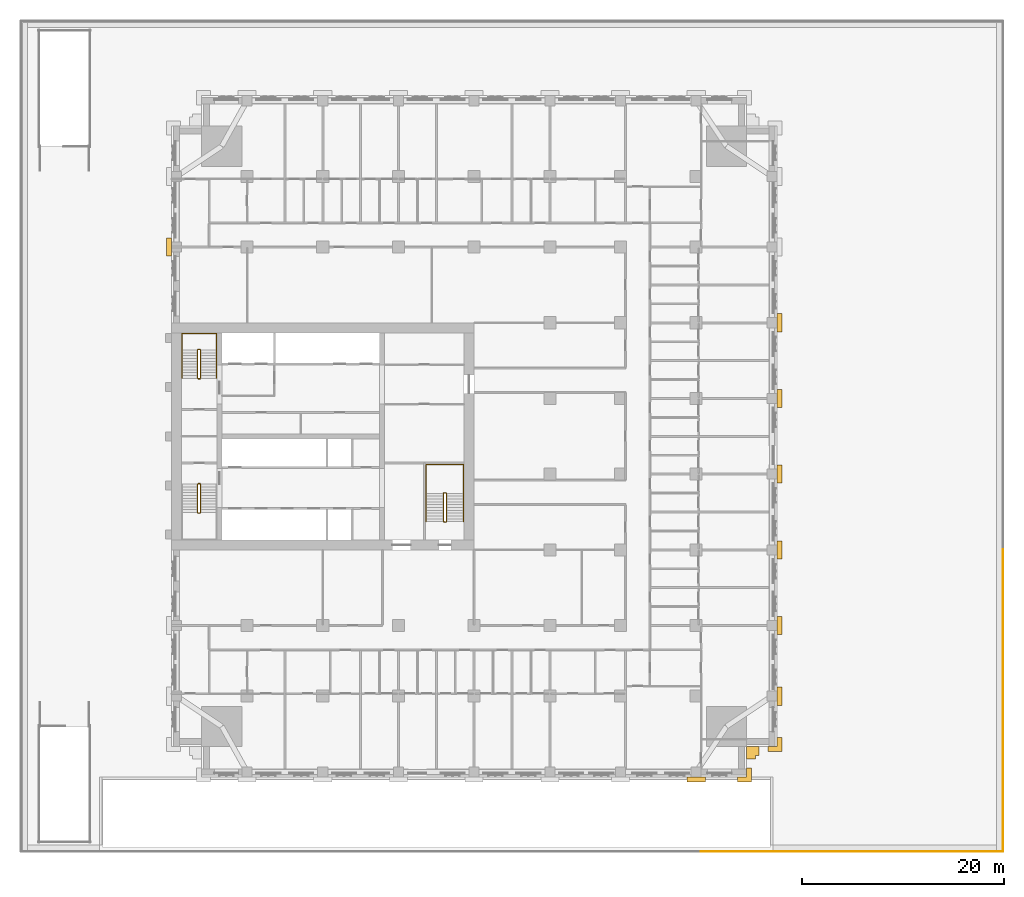
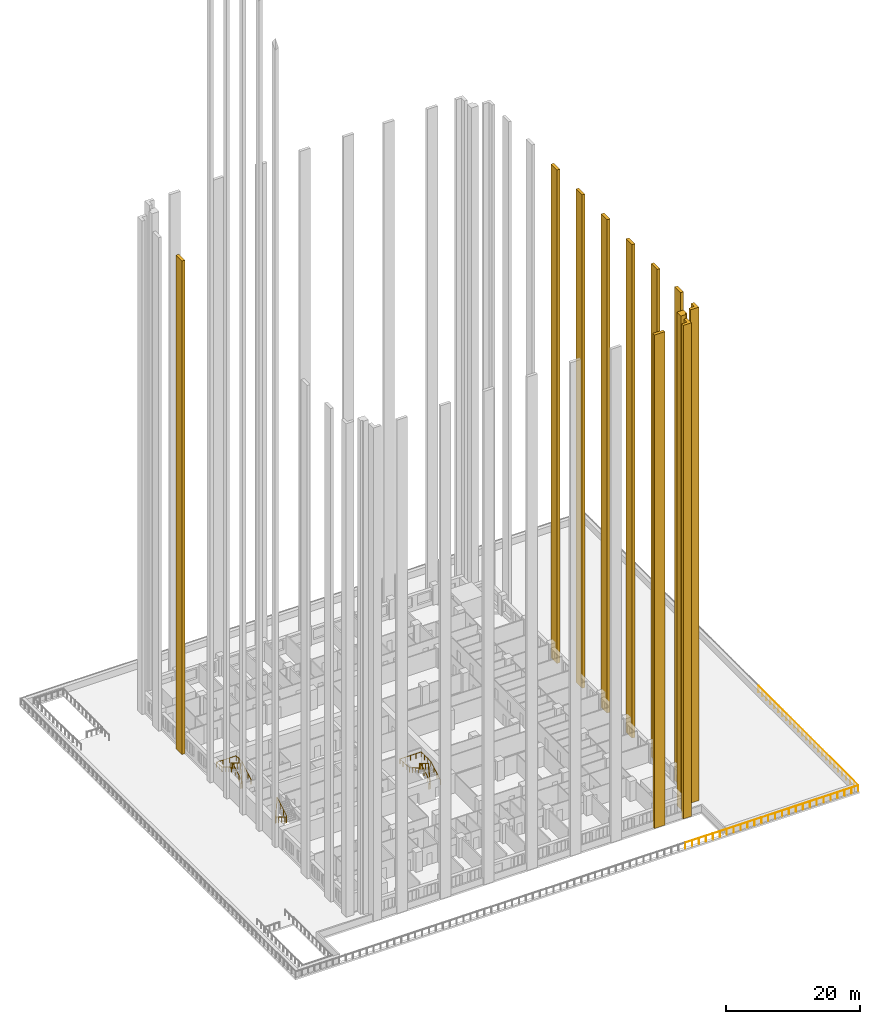
# One storey, part 25 of 27: 11 coverings, 7 railings.
"""IFC4 building model written with IfcOpenShell, lengths in metres."""

import ifcopenshell
import ifcopenshell.guid

model = None  # the IFC model being written
_history = None  # IfcOwnerHistory: only IFC2X3 demands one
_inside = {}  # id of a spatial element -> (the spatial element, [elements in it])
_under = {}  # id of a project, library or spatial element -> (it, [spatial elements below it])
_declared = {}  # id of a project -> (the project, [libraries it declares])
_typed = {}  # id of a type object -> (the type object, [elements of that type])
_made_of = {}  # id of a material, layer set ... -> (it, [elements and type objects made of it])


def new_model(schema):
    """Start an empty IFC model of exactly this schema.

    Asked for "IFC4X3", IfcOpenShell would pick the latest addendum, in which some entities
    have other attributes; the version numbers below select the first issue.
    IFC2X3 requires an IfcOwnerHistory on every rooted entity: one is made here for all.
    """
    global model, _history
    if schema == "IFC4X3":
        model = ifcopenshell.file(schema_version=(4, 3, 0, 0))
    else:
        model = ifcopenshell.file(schema=schema)
    _inside.clear()
    _under.clear()
    _declared.clear()
    _typed.clear()
    _made_of.clear()
    _history = None
    if model.schema == "IFC2X3":
        org = make("IfcOrganization", Name="unknown")
        user = make(
            "IfcPersonAndOrganization",
            ThePerson=make("IfcPerson", FamilyName="unknown"),
            TheOrganization=org,
        )
        app = make(
            "IfcApplication",
            ApplicationDeveloper=org,
            Version="unknown",
            ApplicationFullName="unknown",
            ApplicationIdentifier="unknown",
        )
        _history = make(
            "IfcOwnerHistory",
            OwningUser=user,
            OwningApplication=app,
            ChangeAction="ADDED",
            CreationDate=0,
        )
    return model


def make(cls, **values):
    """One entity of the class cls with the attributes given. An attribute that is None is left unset."""
    return model.create_entity(
        cls, **{name: value for name, value in values.items() if value is not None}
    )


def rooted(cls, **values):
    """An entity with a GlobalId (a new one), such as an element, a storey or a relation."""
    return make(cls, GlobalId=ifcopenshell.guid.new(), OwnerHistory=_history, **values)


def si_unit(unit_type, name, prefix=None):
    """IfcSIUnit, for example si_unit("LENGTHUNIT", "METRE", prefix="MILLI")."""
    return make("IfcSIUnit", UnitType=unit_type, Prefix=prefix, Name=name)


def assignment(units):
    """IfcUnitAssignment: the units of a project."""
    return None if units is None else make("IfcUnitAssignment", Units=units)


def point(xyz):
    """IfcCartesianPoint."""
    return None if xyz is None else make("IfcCartesianPoint", Coordinates=xyz)


def direction(xyz):
    """IfcDirection."""
    return None if xyz is None else make("IfcDirection", DirectionRatios=xyz)


def frame(location, z_axis=None, x_axis=None):
    """IfcAxis2Placement3D, a coordinate frame: its origin and axes. An axis left out is left unset."""
    return make(
        "IfcAxis2Placement3D",
        Location=point(location),
        Axis=direction(z_axis),
        RefDirection=direction(x_axis),
    )


def frame_2d(location, x_axis=None):
    """IfcAxis2Placement2D, a coordinate frame in the plane: its origin and x axis."""
    return make(
        "IfcAxis2Placement2D", Location=point(location), RefDirection=direction(x_axis)
    )


def origin():
    """The frame at (0, 0, 0) with its axes left unset."""
    return frame((0.0, 0.0, 0.0))


def origin_2d():
    """The frame at (0, 0) in the plane with its x axis left unset."""
    return frame_2d((0.0, 0.0))


def place(relative_to, where):
    """IfcLocalPlacement: puts the frame where relative to a parent placement (None: the world)."""
    return make(
        "IfcLocalPlacement", PlacementRelTo=relative_to, RelativePlacement=where
    )


def context(
    kind, dimensions, precision=None, world=None, true_north=None, identifier=None
):
    """IfcGeometricRepresentationContext, for example the 3D "Model" context."""
    return make(
        "IfcGeometricRepresentationContext",
        ContextIdentifier=identifier,
        ContextType=kind,
        CoordinateSpaceDimension=dimensions,
        Precision=precision,
        WorldCoordinateSystem=world,
        TrueNorth=true_north,
    )


def subcontext(parent, identifier, kind, view, scale=None):
    """IfcGeometricRepresentationSubContext, for example "Body" below "Model"."""
    return make(
        "IfcGeometricRepresentationSubContext",
        ContextIdentifier=identifier,
        ContextType=kind,
        ParentContext=parent,
        TargetScale=scale,
        TargetView=view,
    )


def project(units=None, contexts=None):
    """IfcProject with its units and contexts."""
    return rooted(
        "IfcProject",
        Name="project",
        RepresentationContexts=contexts,
        UnitsInContext=assignment(units),
    )


def spatial(cls, under=None, at=None, **own):
    """A site, building, storey or space (cls), placed at a placement, below another one or the project."""
    s = rooted(cls, ObjectPlacement=at, **own)
    if under is not None:
        _under.setdefault(under.id(), (under, []))[1].append(s)
    return s


def polyline(points):
    """IfcPolyline through the points."""
    return make("IfcPolyline", Points=[point(p) for p in points])


def profile(cls, at=None, kind="AREA", **sizes):
    """A parametric profile (cls). Its sizes go by their IFC names, for example OverallWidth=200.0."""
    return make(cls, ProfileType=kind, Position=at, **sizes)


def circle(**sizes):
    """IfcCircleProfileDef."""
    return profile("IfcCircleProfileDef", **sizes)


def outline(outer, holes=None, kind="AREA"):
    """IfcArbitraryClosedProfileDef: a profile drawn as a closed curve; with holes, ...WithVoids."""
    if holes is None:
        return make("IfcArbitraryClosedProfileDef", ProfileType=kind, OuterCurve=outer)
    return make(
        "IfcArbitraryProfileDefWithVoids",
        ProfileType=kind,
        OuterCurve=outer,
        InnerCurves=holes,
    )


def extrude(swept, where, along, depth):
    """IfcExtrudedAreaSolid: the profile swept, set in the frame where, extruded along a direction by depth."""
    return make(
        "IfcExtrudedAreaSolid",
        SweptArea=swept,
        Position=where,
        ExtrudedDirection=direction(along),
        Depth=depth,
    )


def shape(context_of_items, identifier, shape_type, items):
    """IfcShapeRepresentation: the items that make up one representation, for example the "Body"."""
    return make(
        "IfcShapeRepresentation",
        ContextOfItems=context_of_items,
        RepresentationIdentifier=identifier,
        RepresentationType=shape_type,
        Items=items,
    )


def material(Name=None, Category=None):
    """IfcMaterial."""
    return make("IfcMaterial", Name=Name, Category=Category)


def layer(
    of_material, thickness, ventilated=None, Name=None, Category=None, Priority=None
):
    """IfcMaterialLayer: one layer of a wall or slab, of a material (None: an air gap)."""
    return make(
        "IfcMaterialLayer",
        Material=of_material,
        LayerThickness=thickness,
        IsVentilated=ventilated,
        Name=Name,
        Category=Category,
        Priority=Priority,
    )


def layer_set(layers, Name=None):
    """IfcMaterialLayerSet."""
    return make("IfcMaterialLayerSet", MaterialLayers=layers, LayerSetName=Name)


def made_of(thing, what):
    """Note that an element or type object is made of a material, layer set ...; save() writes the relation."""
    if what is not None:
        _made_of.setdefault(what.id(), (what, []))[1].append(thing)
    return thing


def type_object(cls, material=None, **own):
    """A type object (cls), such as IfcWallType, which elements share."""
    return made_of(rooted(cls, **own), material)


def element(
    cls,
    number,
    at=None,
    inside=None,
    cuts=None,
    type_object=None,
    material=None,
    context=None,
    identifier="Body",
    shape_type=None,
    held_by="IfcProductDefinitionShape",
    body=None,
    shapes=None,
    **own,
):
    """One element of the class cls, such as IfcWall. Its Tag is "e" and its number.

    at: its placement. inside: the storey or other place that contains it. cuts: it is an
    opening in that element (IfcRelVoidsElement). A single representation is given by context,
    identifier, shape_type and body (its items); several are given by shapes. held_by: the class
    of the entity that holds the representations. save() writes the other relations.
    """
    e = rooted(cls, Tag="e%d" % number, ObjectPlacement=at, **own)
    if body is not None:
        shapes = [shape(context, identifier, shape_type, body)]
    if shapes is not None:
        e.Representation = make(held_by, Representations=shapes)
    if inside is not None:
        _inside.setdefault(inside.id(), (inside, []))[1].append(e)
    if cuts is not None:
        rooted(
            "IfcRelVoidsElement", RelatingBuildingElement=cuts, RelatedOpeningElement=e
        )
    if type_object is not None:
        _typed.setdefault(type_object.id(), (type_object, []))[1].append(e)
    return made_of(e, material)


def aggregate(whole, parts):
    """IfcRelAggregates: a whole, such as a stair, and the parts it consists of."""
    return rooted("IfcRelAggregates", RelatingObject=whole, RelatedObjects=parts)


def save(model, path):
    """Write the relations noted so far, then the file.

    IfcRelAggregates (storeys below a building ...), IfcRelContainedInSpatialStructure (elements
    in a storey), IfcRelDefinesByType, IfcRelAssociatesMaterial and IfcRelDeclares: one each for
    every whole, place, type object, material and project.
    """
    for whole, parts in _under.values():
        aggregate(whole, parts)
    for where, things in _inside.values():
        rooted(
            "IfcRelContainedInSpatialStructure",
            RelatedElements=things,
            RelatingStructure=where,
        )
    for kind, things in _typed.values():
        rooted("IfcRelDefinesByType", RelatedObjects=things, RelatingType=kind)
    for what, things in _made_of.values():
        rooted("IfcRelAssociatesMaterial", RelatedObjects=things, RelatingMaterial=what)
    for by, libraries in _declared.values():
        rooted("IfcRelDeclares", RelatingContext=by, RelatedDefinitions=libraries)
    model.write(path)


model = new_model("IFC4")

# Units and contexts
model_context = context("Model", 3, precision=1e-05, world=origin(), true_north=direction((0.0, 1.0)))
body_context = subcontext(model_context, "Body", "Model", "MODEL_VIEW")
ifc_project = project(units=[si_unit("LENGTHUNIT", "METRE"), si_unit("AREAUNIT", "SQUARE_METRE"), si_unit("VOLUMEUNIT", "CUBIC_METRE"), si_unit("PLANEANGLEUNIT", "RADIAN"), si_unit("MASSUNIT", "GRAM", prefix="KILO")], contexts=[model_context])

# Site, building, storey
site_placement = place(None, origin())
site = spatial("IfcSite", under=ifc_project, at=site_placement, CompositionType="ELEMENT")
building_placement = place(site_placement, origin())
building = spatial("IfcBuilding", under=site, at=building_placement, Name="Tamorin Gate", CompositionType="ELEMENT")
storey_placement = place(building_placement, frame((0.0, 0.0, 34.0)))
storey = spatial("IfcBuildingStorey", under=building, at=storey_placement, Name="L06", CompositionType="ELEMENT", Elevation=34.0)

# Coverings
ifc_material_1 = material(Name="Precast concrete C40/50", Category="concrete")
ifc_layer_1 = layer(ifc_material_1, 0.5)
ifc_layer_set_1 = layer_set([ifc_layer_1], Name="Corner pier cladding 500")
covering_type_1 = type_object("IfcCoveringType", Name="Corner pier cladding 500", PredefinedType="CLADDING", material=ifc_layer_set_1)
covering_1_placement = place(storey_placement, origin())
element("IfcCovering", 1, at=covering_1_placement, inside=storey, type_object=covering_type_1, Name="Corner pier", PredefinedType="CLADDING", context=body_context, shape_type="SweptSolid", body=[
    extrude(outline(polyline([(87.5, 37.0), (86.10009765625, 37.0), (86.10009765625, 37.5), (87.0, 37.5), (87.0, 38.39990234375), (87.5, 38.39990234375), (87.5, 37.0)])), origin(), (0.0, 0.0, 1.0), 90.199951171875),
])
covering_2_placement = place(storey_placement, origin())
element("IfcCovering", 2, at=covering_2_placement, inside=storey, type_object=covering_type_1, Name="Corner pier", PredefinedType="CLADDING", context=body_context, shape_type="SweptSolid", body=[
    extrude(outline(polyline([(90.5, 40.0), (89.10009765625, 40.0), (89.10009765625, 40.5), (90.0, 40.5), (90.0, 41.39990234375), (90.5, 41.39990234375), (90.5, 40.0)])), origin(), (0.0, 0.0, 1.0), 90.199951171875),
])
ifc_layer_2 = layer(ifc_material_1, 0.89990234375)
ifc_layer_set_2 = layer_set([ifc_layer_2], Name="Corner pier cladding 900")
covering_type_2 = type_object("IfcCoveringType", Name="Corner pier cladding 900", PredefinedType="CLADDING", material=ifc_layer_set_2)
covering_3_placement = place(storey_placement, origin())
element("IfcCovering", 3, at=covering_3_placement, inside=storey, type_object=covering_type_2, Name="Corner pier", PredefinedType="CLADDING", context=body_context, shape_type="SweptSolid", body=[
    extrude(outline(polyline([(87.89990234375, 39.60009765625), (87.89990234375, 39.300048828125), (87.0, 39.300048828125), (87.0, 40.5), (88.199951171875, 40.5), (88.199951171875, 39.60009765625), (87.89990234375, 39.60009765625)])), origin(), (0.0, 0.0, 1.0), 90.199951171875),
])
ifc_layer_3 = layer(ifc_material_1, 0.5)
ifc_layer_set_3 = layer_set([ifc_layer_3], Name="Precast concrete C40/50")
covering_type_3 = type_object("IfcCoveringType", Name="Precast pier 1800x500", PredefinedType="CLADDING", material=ifc_layer_set_3)
covering_4_placement = place(storey_placement, origin())
element("IfcCovering", 4, at=covering_4_placement, inside=storey, type_object=covering_type_3, Name="Precast pier", PredefinedType="CLADDING", context=body_context, shape_type="SweptSolid", body=[
    extrude(outline(polyline([(30.0, 90.89990234375), (30.0, 89.10009765625), (29.5, 89.10009765625), (29.5, 90.89990234375), (30.0, 90.89990234375)])), origin(), (0.0, 0.0, 1.0), 90.199951171875),
])
covering_5_placement = place(storey_placement, origin())
element("IfcCovering", 5, at=covering_5_placement, inside=storey, type_object=covering_type_3, Name="Precast pier", PredefinedType="CLADDING", context=body_context, shape_type="SweptSolid", body=[
    extrude(outline(polyline([(81.10009765625, 37.5), (82.89990234375, 37.5), (82.89990234375, 37.0), (81.10009765625, 37.0), (81.10009765625, 37.5)])), origin(), (0.0, 0.0, 1.0), 90.199951171875),
])
covering_6_placement = place(storey_placement, origin())
element("IfcCovering", 6, at=covering_6_placement, inside=storey, type_object=covering_type_3, Name="Precast pier", PredefinedType="CLADDING", context=body_context, shape_type="SweptSolid", body=[
    extrude(outline(polyline([(90.0, 44.60009765625), (90.0, 46.39990234375), (90.5, 46.39990234375), (90.5, 44.60009765625), (90.0, 44.60009765625)])), origin(), (0.0, 0.0, 1.0), 90.199951171875),
])
covering_7_placement = place(storey_placement, origin())
element("IfcCovering", 7, at=covering_7_placement, inside=storey, type_object=covering_type_3, Name="Precast pier", PredefinedType="CLADDING", context=body_context, shape_type="SweptSolid", body=[
    extrude(outline(polyline([(90.0, 51.60009765625), (90.0, 53.39990234375), (90.5, 53.39990234375), (90.5, 51.60009765625), (90.0, 51.60009765625)])), origin(), (0.0, 0.0, 1.0), 90.199951171875),
])
covering_8_placement = place(storey_placement, origin())
element("IfcCovering", 8, at=covering_8_placement, inside=storey, type_object=covering_type_3, Name="Precast pier", PredefinedType="CLADDING", context=body_context, shape_type="SweptSolid", body=[
    extrude(outline(polyline([(90.0, 59.10009765625), (90.0, 60.89990234375), (90.5, 60.89990234375), (90.5, 59.10009765625), (90.0, 59.10009765625)])), origin(), (0.0, 0.0, 1.0), 90.199951171875),
])
covering_9_placement = place(storey_placement, origin())
element("IfcCovering", 9, at=covering_9_placement, inside=storey, type_object=covering_type_3, Name="Precast pier", PredefinedType="CLADDING", context=body_context, shape_type="SweptSolid", body=[
    extrude(outline(polyline([(90.0, 66.60009765625), (90.0, 68.39990234375), (90.5, 68.39990234375), (90.5, 66.60009765625), (90.0, 66.60009765625)])), origin(), (0.0, 0.0, 1.0), 90.199951171875),
])
covering_10_placement = place(storey_placement, origin())
element("IfcCovering", 10, at=covering_10_placement, inside=storey, type_object=covering_type_3, Name="Precast pier", PredefinedType="CLADDING", context=body_context, shape_type="SweptSolid", body=[
    extrude(outline(polyline([(90.0, 74.10009765625), (90.0, 75.89990234375), (90.5, 75.89990234375), (90.5, 74.10009765625), (90.0, 74.10009765625)])), origin(), (0.0, 0.0, 1.0), 90.199951171875),
])
covering_11_placement = place(storey_placement, origin())
element("IfcCovering", 11, at=covering_11_placement, inside=storey, type_object=covering_type_3, Name="Precast pier", PredefinedType="CLADDING", context=body_context, shape_type="SweptSolid", body=[
    extrude(outline(polyline([(90.0, 81.60009765625), (90.0, 83.39990234375), (90.5, 83.39990234375), (90.5, 81.60009765625), (90.0, 81.60009765625)])), origin(), (0.0, 0.0, 1.0), 90.199951171875),
])

# Railings
ifc_material_2 = material(Name="Painted steel balustrade", Category="steel")
railing_type_1 = type_object("IfcRailingType", Name="Stair guard 1100", PredefinedType="GUARDRAIL", material=ifc_material_2)
railing_1_placement = place(storey_placement, frame((32.60009765625, 66.5, 0.16357421875)))
element("IfcRailing", 12, at=railing_1_placement, inside=storey, type_object=railing_type_1, Name="L06 ST1 stair guard 1", PredefinedType="GUARDRAIL", context=body_context, shape_type="SweptSolid", body=[
    extrude(circle(Radius=0.02392578125, at=origin_2d()), frame((0.0, 0.0, 1.076171875), z_axis=(0.0, -0.863360870873, 0.504586966384), x_axis=(1.0, 0.0, 0.0)), (0.0, 0.0, 1.0), 3.2431640625),
    extrude(circle(Radius=0.02392578125, at=origin_2d()), frame((0.0, -2.800048828125, 2.71240234375), z_axis=(0.705375805398, -0.708833529934, 0.0), x_axis=(0.708833529934, 0.705375805398, 0.0)), (0.0, 0.0, 1.0), 0.070556640625),
    extrude(circle(Radius=0.02392578125, at=origin_2d()), frame((0.0498046875, -2.85009765625, 2.71240234375), z_axis=(1.0, 0.0, 0.0), x_axis=(0.0, 1.0, 0.0)), (0.0, 0.0, 1.0), 0.2001953125),
    extrude(circle(Radius=0.02392578125, at=origin_2d()), frame((0.25, -2.85009765625, 2.71240234375), z_axis=(0.279546231943, 0.280916556609, 0.91811752648), x_axis=(-0.708833529934, 0.705375805398, 0.0)), (0.0, 0.0, 1.0), 0.17822265625),
    extrude(circle(Radius=0.02392578125, at=origin_2d()), frame((0.2998046875, -2.800048828125, 2.8759765625), z_axis=(0.0, 0.863360870873, 0.504586966384), x_axis=(-1.0, 0.0, 0.0)), (0.0, 0.0, 1.0), 3.2431640625),
    extrude(circle(Radius=0.02392578125, at=origin_2d()), frame((0.2998046875, 0.0, 4.5126953125), z_axis=(-0.069269067181, 0.013867342551, -0.997501625634), x_axis=(-0.196300278283, -0.98054382908, 0.0)), (0.0, 0.0, 1.0), 3.609130859375),
    extrude(circle(Radius=0.02392578125, at=origin_2d()), frame((0.0498046875, 0.050048828125, 0.91259765625), z_axis=(1.0, 0.0, 0.0), x_axis=(0.0, 1.0, 0.0)), (0.0, 0.0, 1.0), 0.2001953125),
    extrude(circle(Radius=0.02099609375, at=origin_2d()), origin(), (0.0, 0.0, 1.0), 1.052001953125),
    extrude(circle(Radius=0.02099609375, at=origin_2d()), frame((0.0, -0.933349609375, 0.54541015625)), (0.0, 0.0, 1.0), 1.052001953125),
    extrude(circle(Radius=0.02099609375, at=origin_2d()), frame((0.0, -1.86669921875, 1.091064453125)), (0.0, 0.0, 1.0), 1.052001953125),
    extrude(circle(Radius=0.02099609375, at=origin_2d()), frame((0.0, -2.800048828125, 1.636474609375)), (0.0, 0.0, 1.0), 1.052001953125),
    extrude(circle(Radius=0.02099609375, at=origin_2d()), frame((0.0498046875, -2.85009765625, 1.636474609375)), (0.0, 0.0, 1.0), 1.052001953125),
    extrude(circle(Radius=0.02099609375, at=origin_2d()), frame((0.25, -2.85009765625, 1.636474609375)), (0.0, 0.0, 1.0), 1.052001953125),
    extrude(circle(Radius=0.02099609375, at=origin_2d()), frame((0.2998046875, -2.800048828125, 1.800048828125)), (0.0, 0.0, 1.0), 1.052001953125),
    extrude(circle(Radius=0.02099609375, at=origin_2d()), frame((0.2998046875, -1.86669921875, 2.345458984375)), (0.0, 0.0, 1.0), 1.052001953125),
    extrude(circle(Radius=0.02099609375, at=origin_2d()), frame((0.2998046875, -0.933349609375, 2.89111328125)), (0.0, 0.0, 1.0), 1.052001953125),
    extrude(circle(Radius=0.02099609375, at=origin_2d()), frame((0.2998046875, 0.0, 3.4365234375)), (0.0, 0.0, 1.0), 1.052001953125),
    extrude(circle(Radius=0.02099609375, at=origin_2d()), frame((0.2373046875, 0.012451171875, 2.53662109375)), (0.0, 0.0, 1.0), 1.052001953125),
    extrude(circle(Radius=0.02099609375, at=origin_2d()), frame((0.1748046875, 0.02490234375, 1.636474609375)), (0.0, 0.0, 1.0), 1.052001953125),
    extrude(circle(Radius=0.02099609375, at=origin_2d()), frame((0.1123046875, 0.03759765625, 0.736328125)), (0.0, 0.0, 1.0), 1.052001953125),
    extrude(circle(Radius=0.02099609375, at=origin_2d()), frame((0.0498046875, 0.050048828125, -0.16357421875)), (0.0, 0.0, 1.0), 1.052001953125),
    extrude(circle(Radius=0.02099609375, at=origin_2d()), frame((0.25, 0.050048828125, -0.16357421875)), (0.0, 0.0, 1.0), 1.052001953125),
])
railing_2_placement = place(storey_placement, frame((32.89990234375, 77.0, 0.16357421875)))
element("IfcRailing", 13, at=railing_2_placement, inside=storey, type_object=railing_type_1, Name="L06 ST2 stair guard 1", PredefinedType="GUARDRAIL", context=body_context, shape_type="SweptSolid", body=[
    extrude(circle(Radius=0.02392578125, at=origin_2d()), frame((0.0, 0.0, 1.076171875), z_axis=(0.0, 0.863360870873, 0.504586966384), x_axis=(-1.0, 0.0, 0.0)), (0.0, 0.0, 1.0), 3.2431640625),
    extrude(circle(Radius=0.02392578125, at=origin_2d()), frame((0.0, 2.800048828125, 2.71240234375), z_axis=(-0.705375805398, 0.708833529934, 0.0), x_axis=(-0.708833529934, -0.705375805398, 0.0)), (0.0, 0.0, 1.0), 0.070556640625),
    extrude(circle(Radius=0.02392578125, at=origin_2d()), frame((-0.0498046875, 2.85009765625, 2.71240234375), z_axis=(-1.0, 0.0, 0.0), x_axis=(0.0, -1.0, 0.0)), (0.0, 0.0, 1.0), 0.2001953125),
    extrude(circle(Radius=0.02392578125, at=origin_2d()), frame((-0.25, 2.85009765625, 2.71240234375), z_axis=(-0.279546231943, -0.280916556609, 0.91811752648), x_axis=(0.708833529934, -0.705375805398, 0.0)), (0.0, 0.0, 1.0), 0.17822265625),
    extrude(circle(Radius=0.02392578125, at=origin_2d()), frame((-0.2998046875, 2.800048828125, 2.8759765625), z_axis=(0.0, -0.863360870873, 0.504586966384), x_axis=(1.0, 0.0, 0.0)), (0.0, 0.0, 1.0), 3.2431640625),
    extrude(circle(Radius=0.02392578125, at=origin_2d()), frame((-0.2998046875, 0.0, 4.5126953125), z_axis=(0.069269067181, -0.013867342551, -0.997501625634), x_axis=(0.196300278283, 0.98054382908, 0.0)), (0.0, 0.0, 1.0), 3.609130859375),
    extrude(circle(Radius=0.02392578125, at=origin_2d()), frame((-0.0498046875, -0.050048828125, 0.91259765625), z_axis=(-1.0, 0.0, 0.0), x_axis=(0.0, -1.0, 0.0)), (0.0, 0.0, 1.0), 0.2001953125),
    extrude(circle(Radius=0.02099609375, at=origin_2d()), origin(), (0.0, 0.0, 1.0), 1.052001953125),
    extrude(circle(Radius=0.02099609375, at=origin_2d()), frame((0.0, 0.933349609375, 0.54541015625)), (0.0, 0.0, 1.0), 1.052001953125),
    extrude(circle(Radius=0.02099609375, at=origin_2d()), frame((0.0, 1.86669921875, 1.091064453125)), (0.0, 0.0, 1.0), 1.052001953125),
    extrude(circle(Radius=0.02099609375, at=origin_2d()), frame((0.0, 2.800048828125, 1.636474609375)), (0.0, 0.0, 1.0), 1.052001953125),
    extrude(circle(Radius=0.02099609375, at=origin_2d()), frame((-0.0498046875, 2.85009765625, 1.636474609375)), (0.0, 0.0, 1.0), 1.052001953125),
    extrude(circle(Radius=0.02099609375, at=origin_2d()), frame((-0.25, 2.85009765625, 1.636474609375)), (0.0, 0.0, 1.0), 1.052001953125),
    extrude(circle(Radius=0.02099609375, at=origin_2d()), frame((-0.2998046875, 2.800048828125, 1.800048828125)), (0.0, 0.0, 1.0), 1.052001953125),
    extrude(circle(Radius=0.02099609375, at=origin_2d()), frame((-0.2998046875, 1.86669921875, 2.345458984375)), (0.0, 0.0, 1.0), 1.052001953125),
    extrude(circle(Radius=0.02099609375, at=origin_2d()), frame((-0.2998046875, 0.933349609375, 2.89111328125)), (0.0, 0.0, 1.0), 1.052001953125),
    extrude(circle(Radius=0.02099609375, at=origin_2d()), frame((-0.2998046875, 0.0, 3.4365234375)), (0.0, 0.0, 1.0), 1.052001953125),
    extrude(circle(Radius=0.02099609375, at=origin_2d()), frame((-0.2373046875, -0.012451171875, 2.53662109375)), (0.0, 0.0, 1.0), 1.052001953125),
    extrude(circle(Radius=0.02099609375, at=origin_2d()), frame((-0.1748046875, -0.02490234375, 1.636474609375)), (0.0, 0.0, 1.0), 1.052001953125),
    extrude(circle(Radius=0.02099609375, at=origin_2d()), frame((-0.1123046875, -0.03759765625, 0.736328125)), (0.0, 0.0, 1.0), 1.052001953125),
    extrude(circle(Radius=0.02099609375, at=origin_2d()), frame((-0.0498046875, -0.050048828125, -0.16357421875)), (0.0, 0.0, 1.0), 1.052001953125),
    extrude(circle(Radius=0.02099609375, at=origin_2d()), frame((-0.25, -0.050048828125, -0.16357421875)), (0.0, 0.0, 1.0), 1.052001953125),
])
railing_3_placement = place(storey_placement, frame((57.25, 62.800048828125, 0.16357421875)))
element("IfcRailing", 14, at=railing_3_placement, inside=storey, type_object=railing_type_1, Name="L06 ST3 stair guard 1", PredefinedType="GUARDRAIL", context=body_context, shape_type="SweptSolid", body=[
    extrude(circle(Radius=0.02392578125, at=origin_2d()), frame((0.0, 0.0, 1.076171875), z_axis=(0.0, 0.863360870873, 0.504586966384), x_axis=(-1.0, 0.0, 0.0)), (0.0, 0.0, 1.0), 3.2431640625),
    extrude(circle(Radius=0.02392578125, at=origin_2d()), frame((0.0, 2.800048828125, 2.71240234375), z_axis=(-0.708833529934, 0.705375805398, 0.0), x_axis=(-0.705375805398, -0.708833529934, 0.0)), (0.0, 0.0, 1.0), 0.070556640625),
    extrude(circle(Radius=0.02392578125, at=origin_2d()), frame((-0.050048828125, 2.849853515625, 2.71240234375), z_axis=(-1.0, 0.0, 0.0), x_axis=(0.0, -1.0, 0.0)), (0.0, 0.0, 1.0), 0.199951171875),
    extrude(circle(Radius=0.02392578125, at=origin_2d()), frame((-0.25, 2.849853515625, 2.71240234375), z_axis=(-0.280916556609, -0.279546231943, 0.91811752648), x_axis=(0.705375805398, -0.708833529934, 0.0)), (0.0, 0.0, 1.0), 0.17822265625),
    extrude(circle(Radius=0.02392578125, at=origin_2d()), frame((-0.300048828125, 2.800048828125, 2.8759765625), z_axis=(0.0, -0.863360870873, 0.504586966384), x_axis=(1.0, 0.0, 0.0)), (0.0, 0.0, 1.0), 3.2431640625),
    extrude(circle(Radius=0.02392578125, at=origin_2d()), frame((-0.300048828125, 0.0, 4.5126953125), z_axis=(0.069269067181, -0.013867342551, -0.997501625634), x_axis=(0.196300278283, 0.98054382908, 0.0)), (0.0, 0.0, 1.0), 3.609130859375),
    extrude(circle(Radius=0.02392578125, at=origin_2d()), frame((-0.050048828125, -0.050048828125, 0.91259765625), z_axis=(-1.0, 0.0, 0.0), x_axis=(0.0, -1.0, 0.0)), (0.0, 0.0, 1.0), 0.199951171875),
    extrude(circle(Radius=0.02099609375, at=origin_2d()), origin(), (0.0, 0.0, 1.0), 1.052001953125),
    extrude(circle(Radius=0.02099609375, at=origin_2d()), frame((0.0, 0.933349609375, 0.54541015625)), (0.0, 0.0, 1.0), 1.052001953125),
    extrude(circle(Radius=0.02099609375, at=origin_2d()), frame((0.0, 1.86669921875, 1.091064453125)), (0.0, 0.0, 1.0), 1.052001953125),
    extrude(circle(Radius=0.02099609375, at=origin_2d()), frame((0.0, 2.800048828125, 1.636474609375)), (0.0, 0.0, 1.0), 1.052001953125),
    extrude(circle(Radius=0.02099609375, at=origin_2d()), frame((-0.050048828125, 2.849853515625, 1.636474609375)), (0.0, 0.0, 1.0), 1.052001953125),
    extrude(circle(Radius=0.02099609375, at=origin_2d()), frame((-0.25, 2.849853515625, 1.636474609375)), (0.0, 0.0, 1.0), 1.052001953125),
    extrude(circle(Radius=0.02099609375, at=origin_2d()), frame((-0.300048828125, 2.800048828125, 1.800048828125)), (0.0, 0.0, 1.0), 1.052001953125),
    extrude(circle(Radius=0.02099609375, at=origin_2d()), frame((-0.300048828125, 1.86669921875, 2.345458984375)), (0.0, 0.0, 1.0), 1.052001953125),
    extrude(circle(Radius=0.02099609375, at=origin_2d()), frame((-0.300048828125, 0.933349609375, 2.89111328125)), (0.0, 0.0, 1.0), 1.052001953125),
    extrude(circle(Radius=0.02099609375, at=origin_2d()), frame((-0.300048828125, 0.0, 3.4365234375)), (0.0, 0.0, 1.0), 1.052001953125),
    extrude(circle(Radius=0.02099609375, at=origin_2d()), frame((-0.237548828125, -0.012451171875, 2.53662109375)), (0.0, 0.0, 1.0), 1.052001953125),
    extrude(circle(Radius=0.02099609375, at=origin_2d()), frame((-0.175048828125, -0.02490234375, 1.636474609375)), (0.0, 0.0, 1.0), 1.052001953125),
    extrude(circle(Radius=0.02099609375, at=origin_2d()), frame((-0.112548828125, -0.03759765625, 0.736328125)), (0.0, 0.0, 1.0), 1.052001953125),
    extrude(circle(Radius=0.02099609375, at=origin_2d()), frame((-0.050048828125, -0.050048828125, -0.16357421875)), (0.0, 0.0, 1.0), 1.052001953125),
    extrude(circle(Radius=0.02099609375, at=origin_2d()), frame((-0.25, -0.050048828125, -0.16357421875)), (0.0, 0.0, 1.0), 1.052001953125),
])
ifc_material_3 = material(Name="Painted steel handrail", Category="steel")
railing_type_2 = type_object("IfcRailingType", Name="Stair handrail 900", PredefinedType="HANDRAIL", material=ifc_material_3)
railing_4_placement = place(storey_placement, frame((34.449951171875, 77.0, 0.16357421875)))
element("IfcRailing", 15, at=railing_4_placement, inside=storey, type_object=railing_type_2, Name="L06 ST2 stair handrail 1", PredefinedType="HANDRAIL", context=body_context, shape_type="SweptSolid", body=[
    extrude(circle(Radius=0.02392578125, at=origin_2d()), frame((0.0, 0.0, 0.8759765625), z_axis=(0.0, 0.863360870873, 0.504586966384), x_axis=(-1.0, 0.0, 0.0)), (0.0, 0.0, 1.0), 3.2431640625),
    extrude(circle(Radius=0.02392578125, at=origin_2d()), frame((0.0, 2.800048828125, 2.51220703125), z_axis=(0.0, 1.0, 0.0), x_axis=(-1.0, 0.0, 0.0)), (0.0, 0.0, 1.0), 1.64990234375),
    extrude(circle(Radius=0.02392578125, at=origin_2d()), frame((0.0, 4.449951171875, 2.51220703125), z_axis=(-1.0, 0.0, 0.0), x_axis=(0.0, -1.0, 0.0)), (0.0, 0.0, 1.0), 3.39990234375),
    extrude(circle(Radius=0.02392578125, at=origin_2d()), frame((-3.39990234375, 4.449951171875, 2.51220703125), z_axis=(0.0, -0.995121390814, 0.098658084026), x_axis=(1.0, 0.0, 0.0)), (0.0, 0.0, 1.0), 1.657958984375),
    extrude(circle(Radius=0.02392578125, at=origin_2d()), frame((-3.39990234375, 2.800048828125, 2.67578125), z_axis=(0.0, -0.863360870873, 0.504586966384), x_axis=(1.0, 0.0, 0.0)), (0.0, 0.0, 1.0), 3.2431640625),
    extrude(circle(Radius=0.02099609375, at=origin_2d()), origin(), (0.0, 0.0, 1.0), 0.851806640625),
    extrude(circle(Radius=0.02099609375, at=origin_2d()), frame((0.0, 0.933349609375, 0.54541015625)), (0.0, 0.0, 1.0), 0.851806640625),
    extrude(circle(Radius=0.02099609375, at=origin_2d()), frame((0.0, 1.86669921875, 1.091064453125)), (0.0, 0.0, 1.0), 0.851806640625),
    extrude(circle(Radius=0.02099609375, at=origin_2d()), frame((0.0, 2.800048828125, 1.636474609375)), (0.0, 0.0, 1.0), 0.851806640625),
    extrude(circle(Radius=0.02099609375, at=origin_2d()), frame((0.0, 3.625, 1.636474609375)), (0.0, 0.0, 1.0), 0.851806640625),
    extrude(circle(Radius=0.02099609375, at=origin_2d()), frame((0.0, 4.449951171875, 1.636474609375)), (0.0, 0.0, 1.0), 0.851806640625),
    extrude(circle(Radius=0.02099609375, at=origin_2d()), frame((-1.13330078125, 4.449951171875, 1.636474609375)), (0.0, 0.0, 1.0), 0.851806640625),
    extrude(circle(Radius=0.02099609375, at=origin_2d()), frame((-2.2666015625, 4.449951171875, 1.636474609375)), (0.0, 0.0, 1.0), 0.851806640625),
    extrude(circle(Radius=0.02099609375, at=origin_2d()), frame((-3.39990234375, 4.449951171875, 1.636474609375)), (0.0, 0.0, 1.0), 0.851806640625),
    extrude(circle(Radius=0.02099609375, at=origin_2d()), frame((-3.39990234375, 3.625, 1.71826171875)), (0.0, 0.0, 1.0), 0.851806640625),
    extrude(circle(Radius=0.02099609375, at=origin_2d()), frame((-3.39990234375, 2.800048828125, 1.800048828125)), (0.0, 0.0, 1.0), 0.851806640625),
    extrude(circle(Radius=0.02099609375, at=origin_2d()), frame((-3.39990234375, 1.86669921875, 2.345458984375)), (0.0, 0.0, 1.0), 0.851806640625),
    extrude(circle(Radius=0.02099609375, at=origin_2d()), frame((-3.39990234375, 0.933349609375, 2.89111328125)), (0.0, 0.0, 1.0), 0.851806640625),
    extrude(circle(Radius=0.02099609375, at=origin_2d()), frame((-3.39990234375, 0.0, 3.4365234375)), (0.0, 0.0, 1.0), 0.851806640625),
])
railing_5_placement = place(storey_placement, frame((58.949951171875, 62.800048828125, 0.16357421875)))
element("IfcRailing", 16, at=railing_5_placement, inside=storey, type_object=railing_type_2, Name="L06 ST3 stair handrail 1", PredefinedType="HANDRAIL", context=body_context, shape_type="SweptSolid", body=[
    extrude(circle(Radius=0.02392578125, at=origin_2d()), frame((0.0, 0.0, 0.8759765625), z_axis=(0.0, 0.863360870873, 0.504586966384), x_axis=(-1.0, 0.0, 0.0)), (0.0, 0.0, 1.0), 3.2431640625),
    extrude(circle(Radius=0.02392578125, at=origin_2d()), frame((0.0, 2.800048828125, 2.51220703125), z_axis=(0.0, 1.0, 0.0), x_axis=(-1.0, 0.0, 0.0)), (0.0, 0.0, 1.0), 2.849853515625),
    extrude(circle(Radius=0.02392578125, at=origin_2d()), frame((0.0, 5.64990234375, 2.51220703125), z_axis=(-1.0, 0.0, 0.0), x_axis=(0.0, -1.0, 0.0)), (0.0, 0.0, 1.0), 3.699951171875),
    extrude(circle(Radius=0.02392578125, at=origin_2d()), frame((-3.699951171875, 5.64990234375, 2.51220703125), z_axis=(0.0, -0.998356827416, 0.057303098978), x_axis=(1.0, 0.0, 0.0)), (0.0, 0.0, 1.0), 2.8544921875),
    extrude(circle(Radius=0.02392578125, at=origin_2d()), frame((-3.699951171875, 2.800048828125, 2.67578125), z_axis=(0.0, -0.863360870873, 0.504586966384), x_axis=(1.0, 0.0, 0.0)), (0.0, 0.0, 1.0), 3.2431640625),
    extrude(circle(Radius=0.02099609375, at=origin_2d()), origin(), (0.0, 0.0, 1.0), 0.851806640625),
    extrude(circle(Radius=0.02099609375, at=origin_2d()), frame((0.0, 0.933349609375, 0.54541015625)), (0.0, 0.0, 1.0), 0.851806640625),
    extrude(circle(Radius=0.02099609375, at=origin_2d()), frame((0.0, 1.86669921875, 1.091064453125)), (0.0, 0.0, 1.0), 0.851806640625),
    extrude(circle(Radius=0.02099609375, at=origin_2d()), frame((0.0, 2.800048828125, 1.636474609375)), (0.0, 0.0, 1.0), 0.851806640625),
    extrude(circle(Radius=0.02099609375, at=origin_2d()), frame((0.0, 3.75, 1.636474609375)), (0.0, 0.0, 1.0), 0.851806640625),
    extrude(circle(Radius=0.02099609375, at=origin_2d()), frame((0.0, 4.699951171875, 1.636474609375)), (0.0, 0.0, 1.0), 0.851806640625),
    extrude(circle(Radius=0.02099609375, at=origin_2d()), frame((0.0, 5.64990234375, 1.636474609375)), (0.0, 0.0, 1.0), 0.851806640625),
    extrude(circle(Radius=0.02099609375, at=origin_2d()), frame((-0.925048828125, 5.64990234375, 1.636474609375)), (0.0, 0.0, 1.0), 0.851806640625),
    extrude(circle(Radius=0.02099609375, at=origin_2d()), frame((-1.85009765625, 5.64990234375, 1.636474609375)), (0.0, 0.0, 1.0), 0.851806640625),
    extrude(circle(Radius=0.02099609375, at=origin_2d()), frame((-2.77490234375, 5.64990234375, 1.636474609375)), (0.0, 0.0, 1.0), 0.851806640625),
    extrude(circle(Radius=0.02099609375, at=origin_2d()), frame((-3.699951171875, 5.64990234375, 1.636474609375)), (0.0, 0.0, 1.0), 0.851806640625),
    extrude(circle(Radius=0.02099609375, at=origin_2d()), frame((-3.699951171875, 4.699951171875, 1.69091796875)), (0.0, 0.0, 1.0), 0.851806640625),
    extrude(circle(Radius=0.02099609375, at=origin_2d()), frame((-3.699951171875, 3.75, 1.74560546875)), (0.0, 0.0, 1.0), 0.851806640625),
    extrude(circle(Radius=0.02099609375, at=origin_2d()), frame((-3.699951171875, 2.800048828125, 1.800048828125)), (0.0, 0.0, 1.0), 0.851806640625),
    extrude(circle(Radius=0.02099609375, at=origin_2d()), frame((-3.699951171875, 1.86669921875, 2.345458984375)), (0.0, 0.0, 1.0), 0.851806640625),
    extrude(circle(Radius=0.02099609375, at=origin_2d()), frame((-3.699951171875, 0.933349609375, 2.89111328125)), (0.0, 0.0, 1.0), 0.851806640625),
    extrude(circle(Radius=0.02099609375, at=origin_2d()), frame((-3.699951171875, 0.0, 3.4365234375)), (0.0, 0.0, 1.0), 0.851806640625),
])
ifc_material_4 = material(Name="Stainless steel", Category="steel")
railing_type_3 = type_object("IfcRailingType", Name="Terrace guard 1150", PredefinedType="GUARDRAIL", material=ifc_material_4)
railing_6_placement = place(storey_placement, frame((112.3798828125, 60.0400390625, 0.0)))
element("IfcRailing", 17, at=railing_6_placement, inside=storey, type_object=railing_type_3, Name="Terrace guard", PredefinedType="GUARDRAIL", context=body_context, shape_type="SweptSolid", body=[
    extrude(circle(Radius=0.02392578125, at=origin_2d()), frame((0.0, 0.0, 1.1259765625), z_axis=(0.0, -1.0, 0.0), x_axis=(1.0, 0.0, 0.0)), (0.0, 0.0, 1.0), 29.919921875),
    extrude(circle(Radius=0.02099609375, at=origin_2d()), origin(), (0.0, 0.0, 1.0), 1.101806640625),
    extrude(circle(Radius=0.02099609375, at=origin_2d()), frame((0.0, -1.19677734375, 0.0)), (0.0, 0.0, 1.0), 1.101806640625),
    extrude(circle(Radius=0.02099609375, at=origin_2d()), frame((0.0, -2.3935546875, 0.0)), (0.0, 0.0, 1.0), 1.101806640625),
    extrude(circle(Radius=0.02099609375, at=origin_2d()), frame((0.0, -3.59033203125, 0.0)), (0.0, 0.0, 1.0), 1.101806640625),
    extrude(circle(Radius=0.02099609375, at=origin_2d()), frame((0.0, -4.787109375, 0.0)), (0.0, 0.0, 1.0), 1.101806640625),
    extrude(circle(Radius=0.02099609375, at=origin_2d()), frame((0.0, -5.98388671875, 0.0)), (0.0, 0.0, 1.0), 1.101806640625),
    extrude(circle(Radius=0.02099609375, at=origin_2d()), frame((0.0, -7.1806640625, 0.0)), (0.0, 0.0, 1.0), 1.101806640625),
    extrude(circle(Radius=0.02099609375, at=origin_2d()), frame((0.0, -8.377685546875, 0.0)), (0.0, 0.0, 1.0), 1.101806640625),
    extrude(circle(Radius=0.02099609375, at=origin_2d()), frame((0.0, -9.574462890625, 0.0)), (0.0, 0.0, 1.0), 1.101806640625),
    extrude(circle(Radius=0.02099609375, at=origin_2d()), frame((0.0, -10.771240234375, 0.0)), (0.0, 0.0, 1.0), 1.101806640625),
    extrude(circle(Radius=0.02099609375, at=origin_2d()), frame((0.0, -11.968017578125, 0.0)), (0.0, 0.0, 1.0), 1.101806640625),
    extrude(circle(Radius=0.02099609375, at=origin_2d()), frame((0.0, -13.164794921875, 0.0)), (0.0, 0.0, 1.0), 1.101806640625),
    extrude(circle(Radius=0.02099609375, at=origin_2d()), frame((0.0, -14.361572265625, 0.0)), (0.0, 0.0, 1.0), 1.101806640625),
    extrude(circle(Radius=0.02099609375, at=origin_2d()), frame((0.0, -15.558349609375, 0.0)), (0.0, 0.0, 1.0), 1.101806640625),
    extrude(circle(Radius=0.02099609375, at=origin_2d()), frame((0.0, -16.755126953125, 0.0)), (0.0, 0.0, 1.0), 1.101806640625),
    extrude(circle(Radius=0.02099609375, at=origin_2d()), frame((0.0, -17.951904296875, 0.0)), (0.0, 0.0, 1.0), 1.101806640625),
    extrude(circle(Radius=0.02099609375, at=origin_2d()), frame((0.0, -19.148681640625, 0.0)), (0.0, 0.0, 1.0), 1.101806640625),
    extrude(circle(Radius=0.02099609375, at=origin_2d()), frame((0.0, -20.345458984375, 0.0)), (0.0, 0.0, 1.0), 1.101806640625),
    extrude(circle(Radius=0.02099609375, at=origin_2d()), frame((0.0, -21.542236328125, 0.0)), (0.0, 0.0, 1.0), 1.101806640625),
    extrude(circle(Radius=0.02099609375, at=origin_2d()), frame((0.0, -22.7392578125, 0.0)), (0.0, 0.0, 1.0), 1.101806640625),
    extrude(circle(Radius=0.02099609375, at=origin_2d()), frame((0.0, -23.93603515625, 0.0)), (0.0, 0.0, 1.0), 1.101806640625),
    extrude(circle(Radius=0.02099609375, at=origin_2d()), frame((0.0, -25.1328125, 0.0)), (0.0, 0.0, 1.0), 1.101806640625),
    extrude(circle(Radius=0.02099609375, at=origin_2d()), frame((0.0, -26.32958984375, 0.0)), (0.0, 0.0, 1.0), 1.101806640625),
    extrude(circle(Radius=0.02099609375, at=origin_2d()), frame((0.0, -27.5263671875, 0.0)), (0.0, 0.0, 1.0), 1.101806640625),
    extrude(circle(Radius=0.02099609375, at=origin_2d()), frame((0.0, -28.72314453125, 0.0)), (0.0, 0.0, 1.0), 1.101806640625),
    extrude(circle(Radius=0.02099609375, at=origin_2d()), frame((0.0, -29.919921875, 0.0)), (0.0, 0.0, 1.0), 1.101806640625),
])
railing_7_placement = place(storey_placement, frame((112.3798828125, 30.1201171875, 0.0)))
element("IfcRailing", 18, at=railing_7_placement, inside=storey, type_object=railing_type_3, Name="Terrace guard", PredefinedType="GUARDRAIL", context=body_context, shape_type="SweptSolid", body=[
    extrude(circle(Radius=0.02392578125, at=origin_2d()), frame((0.0, 0.0, 1.1259765625), z_axis=(-1.0, 0.0, 0.0), x_axis=(0.0, -1.0, 0.0)), (0.0, 0.0, 1.0), 29.919921875),
    extrude(circle(Radius=0.02099609375, at=origin_2d()), origin(), (0.0, 0.0, 1.0), 1.101806640625),
    extrude(circle(Radius=0.02099609375, at=origin_2d()), frame((-1.19677734375, 0.0, 0.0)), (0.0, 0.0, 1.0), 1.101806640625),
    extrude(circle(Radius=0.02099609375, at=origin_2d()), frame((-2.3935546875, 0.0, 0.0)), (0.0, 0.0, 1.0), 1.101806640625),
    extrude(circle(Radius=0.02099609375, at=origin_2d()), frame((-3.59033203125, 0.0, 0.0)), (0.0, 0.0, 1.0), 1.101806640625),
    extrude(circle(Radius=0.02099609375, at=origin_2d()), frame((-4.787109375, 0.0, 0.0)), (0.0, 0.0, 1.0), 1.101806640625),
    extrude(circle(Radius=0.02099609375, at=origin_2d()), frame((-5.98388671875, 0.0, 0.0)), (0.0, 0.0, 1.0), 1.101806640625),
    extrude(circle(Radius=0.02099609375, at=origin_2d()), frame((-7.1806640625, 0.0, 0.0)), (0.0, 0.0, 1.0), 1.101806640625),
    extrude(circle(Radius=0.02099609375, at=origin_2d()), frame((-8.377685546875, 0.0, 0.0)), (0.0, 0.0, 1.0), 1.101806640625),
    extrude(circle(Radius=0.02099609375, at=origin_2d()), frame((-9.574462890625, 0.0, 0.0)), (0.0, 0.0, 1.0), 1.101806640625),
    extrude(circle(Radius=0.02099609375, at=origin_2d()), frame((-10.771240234375, 0.0, 0.0)), (0.0, 0.0, 1.0), 1.101806640625),
    extrude(circle(Radius=0.02099609375, at=origin_2d()), frame((-11.968017578125, 0.0, 0.0)), (0.0, 0.0, 1.0), 1.101806640625),
    extrude(circle(Radius=0.02099609375, at=origin_2d()), frame((-13.164794921875, 0.0, 0.0)), (0.0, 0.0, 1.0), 1.101806640625),
    extrude(circle(Radius=0.02099609375, at=origin_2d()), frame((-14.361572265625, 0.0, 0.0)), (0.0, 0.0, 1.0), 1.101806640625),
    extrude(circle(Radius=0.02099609375, at=origin_2d()), frame((-15.558349609375, 0.0, 0.0)), (0.0, 0.0, 1.0), 1.101806640625),
    extrude(circle(Radius=0.02099609375, at=origin_2d()), frame((-16.755126953125, 0.0, 0.0)), (0.0, 0.0, 1.0), 1.101806640625),
    extrude(circle(Radius=0.02099609375, at=origin_2d()), frame((-17.951904296875, 0.0, 0.0)), (0.0, 0.0, 1.0), 1.101806640625),
    extrude(circle(Radius=0.02099609375, at=origin_2d()), frame((-19.148681640625, 0.0, 0.0)), (0.0, 0.0, 1.0), 1.101806640625),
    extrude(circle(Radius=0.02099609375, at=origin_2d()), frame((-20.345458984375, 0.0, 0.0)), (0.0, 0.0, 1.0), 1.101806640625),
    extrude(circle(Radius=0.02099609375, at=origin_2d()), frame((-21.542236328125, 0.0, 0.0)), (0.0, 0.0, 1.0), 1.101806640625),
    extrude(circle(Radius=0.02099609375, at=origin_2d()), frame((-22.7392578125, 0.0, 0.0)), (0.0, 0.0, 1.0), 1.101806640625),
    extrude(circle(Radius=0.02099609375, at=origin_2d()), frame((-23.93603515625, 0.0, 0.0)), (0.0, 0.0, 1.0), 1.101806640625),
    extrude(circle(Radius=0.02099609375, at=origin_2d()), frame((-25.1328125, 0.0, 0.0)), (0.0, 0.0, 1.0), 1.101806640625),
    extrude(circle(Radius=0.02099609375, at=origin_2d()), frame((-26.32958984375, 0.0, 0.0)), (0.0, 0.0, 1.0), 1.101806640625),
    extrude(circle(Radius=0.02099609375, at=origin_2d()), frame((-27.5263671875, 0.0, 0.0)), (0.0, 0.0, 1.0), 1.101806640625),
    extrude(circle(Radius=0.02099609375, at=origin_2d()), frame((-28.72314453125, 0.0, 0.0)), (0.0, 0.0, 1.0), 1.101806640625),
    extrude(circle(Radius=0.02099609375, at=origin_2d()), frame((-29.919921875, 0.0, 0.0)), (0.0, 0.0, 1.0), 1.101806640625),
])

save(model, "model.ifc")
